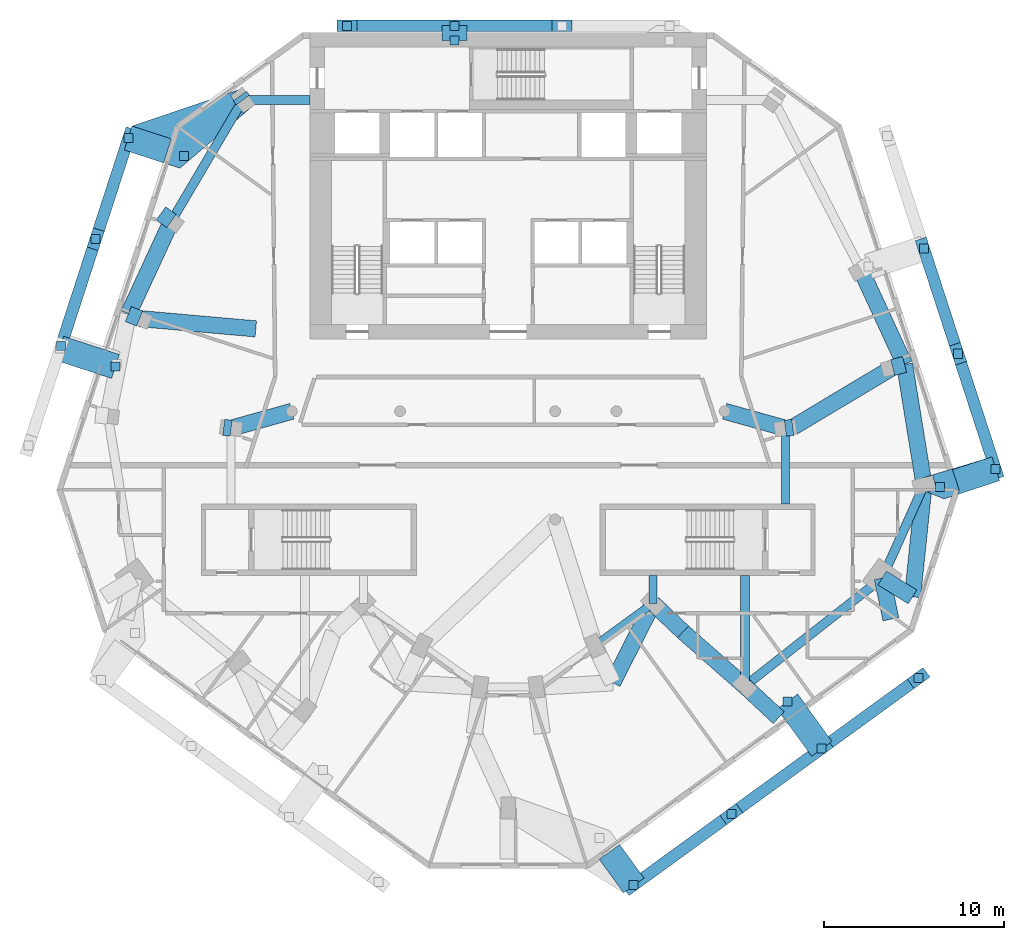
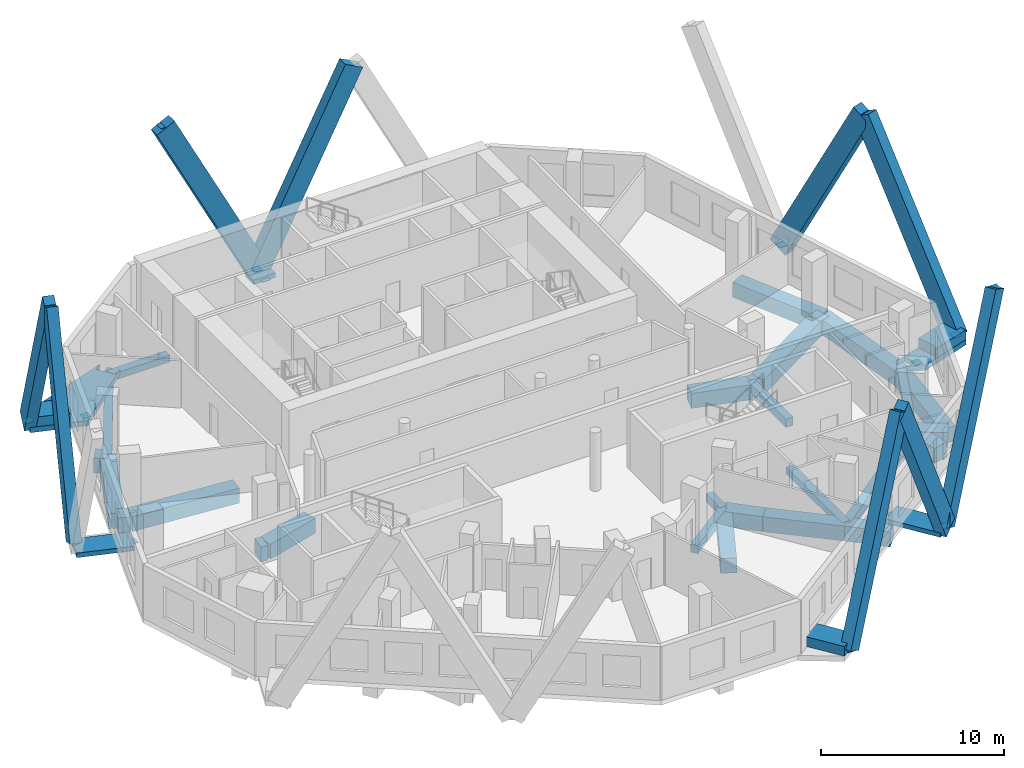
# One storey, part 2 of 10: 28 beams, 17 discrete accessories, 17 members.
"""IFC4 building model written with IfcOpenShell, lengths in metres."""

from ifc_helpers import new_model, si_unit, direction, frame, origin, origin_2d, place, context, subcontext, project, spatial, polyline, rectangle, outline, extrude, material, layer, layer_set, material_profile, profile_set, type_object, element, aggregate, save


model = new_model("IFC4")

# Units and contexts
model_context = context("Model", 3, precision=1e-05, world=origin(), true_north=direction((0.0, 1.0)))
body_context = subcontext(model_context, "Body", "Model", "MODEL_VIEW")
ifc_project = project(units=[si_unit("LENGTHUNIT", "METRE"), si_unit("AREAUNIT", "SQUARE_METRE"), si_unit("VOLUMEUNIT", "CUBIC_METRE"), si_unit("PLANEANGLEUNIT", "RADIAN"), si_unit("MASSUNIT", "GRAM", prefix="KILO")], contexts=[model_context])

# Site, building, storey
site_placement = place(None, origin())
site = spatial("IfcSite", under=ifc_project, at=site_placement, CompositionType="ELEMENT")
building_placement = place(site_placement, origin())
building = spatial("IfcBuilding", under=site, at=building_placement, Name="White Candle Pilgrim Tower", CompositionType="ELEMENT")
storey_placement = place(building_placement, frame((0.0, 0.0, 196.5)))
storey = spatial("IfcBuildingStorey", under=building, at=storey_placement, Name="L45", CompositionType="ELEMENT", Elevation=196.5)

# Member
ifc_material_1 = material(Name="Concrete C70/85, white", Category="concrete")
ifc_material_profile_1 = material_profile(ifc_material_1, rectangle(XDim=0.64990234375, YDim=1.25, at=origin_2d()), Name="RC-DG 650x1250")
ifc_profile_set_1 = profile_set([ifc_material_profile_1], Name="Concrete C70/85, white")
member_type_1 = type_object("IfcMemberType", Name="Exoskeleton diagonal RC-DG 650x1250 C70/85", PredefinedType="BRACE", material=ifc_profile_set_1)
member_1_placement = place(storey_placement, frame((67.02099609375, 88.375, 0.0), z_axis=(0.453783992732, 0.0, 0.891111714624), x_axis=(0.0, 1.0, 0.0)))
member_1 = element("IfcMember", 1, at=member_1_placement, inside=storey, type_object=member_type_1, Name="Exoskeleton diagonal EX182", PredefinedType="BRACE", context=body_context, shape_type="SweptSolid", body=[
    extrude(rectangle(XDim=0.64990234375, YDim=1.25, at=origin_2d()), origin(), (0.0, 0.0, 1.0), 13.129638671875),
])

member_2_placement = place(storey_placement, frame((67.02099609375, 88.375, 0.0), z_axis=(-0.453783992732, 0.0, 0.891111714624), x_axis=(0.0, -1.0, 0.0)))
member_2 = element("IfcMember", 2, at=member_2_placement, inside=storey, type_object=member_type_1, Name="Exoskeleton diagonal EX183", PredefinedType="BRACE", context=body_context, shape_type="SweptSolid", body=[
    extrude(rectangle(XDim=0.64990234375, YDim=1.25, at=origin_2d()), origin(), (0.0, 0.0, 1.0), 13.129638671875),
])

member_3_placement = place(storey_placement, frame((97.01708984375, 63.8046875, 0.0), z_axis=(-0.153816135728, 0.47339318299, 0.867317410576), x_axis=(-0.951055709454, -0.309019477564, 0.0)))
member_3 = element("IfcMember", 3, at=member_3_placement, inside=storey, type_object=member_type_1, Name="Exoskeleton diagonal EX193", PredefinedType="BRACE", context=body_context, shape_type="SweptSolid", body=[
    extrude(rectangle(XDim=0.64990234375, YDim=1.25, at=origin_2d()), origin(), (0.0, 0.0, 1.0), 13.48974609375),
])

member_4_placement = place(storey_placement, frame((93.044189453125, 76.03173828125, 0.0), z_axis=(0.143631980266, -0.442036934379, 0.885422612592), x_axis=(0.951053055044, 0.309027646809, 0.0)))
member_4 = element("IfcMember", 4, at=member_4_placement, inside=storey, type_object=member_type_1, Name="Exoskeleton diagonal EX194", PredefinedType="BRACE", context=body_context, shape_type="SweptSolid", body=[
    extrude(rectangle(XDim=0.64990234375, YDim=1.25, at=origin_2d()), origin(), (0.0, 0.0, 1.0), 13.2138671875),
])

member_5_placement = place(storey_placement, frame((76.951171875, 40.72265625, 0.0), z_axis=(0.402209457657, 0.292219700499, 0.867660762517), x_axis=(-0.587781861429, 0.809019457971, 0.0)))
member_5 = element("IfcMember", 5, at=member_5_placement, inside=storey, type_object=member_type_1, Name="Exoskeleton diagonal EX205", PredefinedType="BRACE", context=body_context, shape_type="SweptSolid", body=[
    extrude(rectangle(XDim=0.64990234375, YDim=1.25, at=origin_2d()), origin(), (0.0, 0.0, 1.0), 13.484375),
])

member_6_placement = place(storey_placement, frame((87.3779296875, 48.298095703125, 0.0), z_axis=(-0.378059782733, -0.27467584566, 0.884095006485), x_axis=(0.587784321423, -0.809017670691, 0.0)))
member_6 = element("IfcMember", 6, at=member_6_placement, inside=storey, type_object=member_type_1, Name="Exoskeleton diagonal EX206", PredefinedType="BRACE", context=body_context, shape_type="SweptSolid", body=[
    extrude(rectangle(XDim=0.64990234375, YDim=1.25, at=origin_2d()), origin(), (0.0, 0.0, 1.0), 13.23388671875),
])

member_7_placement = place(storey_placement, frame((87.3779296875, 48.298095703125, 0.0), z_axis=(0.399705473776, 0.290417811556, 0.869421088406), x_axis=(-0.58780483972, 0.809002762913, 0.0)))
member_7 = element("IfcMember", 7, at=member_7_placement, inside=storey, type_object=member_type_1, Name="Exoskeleton diagonal EX207", PredefinedType="BRACE", context=body_context, shape_type="SweptSolid", body=[
    extrude(rectangle(XDim=0.64990234375, YDim=1.25, at=origin_2d()), origin(), (0.0, 0.0, 1.0), 13.457275390625),
])

member_8_placement = place(storey_placement, frame((48.942138671875, 82.145263671875, 0.0), z_axis=(-0.138932999123, -0.427609453432, 0.893223251539), x_axis=(0.951060264677, -0.309005457803, 0.0)))
member_8 = element("IfcMember", 8, at=member_8_placement, inside=storey, type_object=member_type_1, Name="Exoskeleton diagonal EX229", PredefinedType="BRACE", context=body_context, shape_type="SweptSolid", body=[
    extrude(rectangle(XDim=0.64990234375, YDim=1.25, at=origin_2d()), origin(), (0.0, 0.0, 1.0), 13.0986328125),
])

member_9_placement = place(storey_placement, frame((45.2001953125, 70.629150390625, 0.14990234375), z_axis=(0.146523645024, 0.450904975439, 0.880463244306), x_axis=(-0.951046760585, 0.309047017752, 0.0)))
member_9 = element("IfcMember", 9, at=member_9_placement, inside=storey, type_object=member_type_1, Name="Exoskeleton diagonal EX230", PredefinedType="BRACE", context=body_context, shape_type="SweptSolid", body=[
    extrude(rectangle(XDim=0.64990234375, YDim=1.25, at=origin_2d()), origin(), (0.0, 0.0, 1.0), 13.1181640625),
])

ifc_layer_1 = layer(ifc_material_1, 0.300048828125)
ifc_layer_set_1 = layer_set([ifc_layer_1], Name="Node tie strut 3250x1400x300 C70/85")
member_type_2 = type_object("IfcMemberType", Name="Node tie strut 3250x1400x300 C70/85", PredefinedType="STRUT", material=ifc_layer_set_1)
member_10_placement = place(storey_placement, frame((0.0, 0.0, -0.35009765625)))
member_10 = element("IfcMember", 10, at=member_10_placement, inside=storey, type_object=member_type_2, Name="Node tie strut NC151", PredefinedType="STRUT", context=body_context, shape_type="SweptSolid", body=[
    extrude(outline(polyline([(94.166015625, 62.142333984375), (97.257080078125, 63.146728515625), (96.824462890625, 64.478271484375), (92.9619140625, 63.2978515625), (93.542724609375, 63.44580078125), (93.740234375, 62.67041015625), (93.2060546875, 62.534423828125), (94.166015625, 62.142333984375)])), origin(), (0.0, 0.0, 1.0), 0.35009765625),
])

# Members
member_11_placement = place(storey_placement, origin())
element("IfcMember", 11, at=member_11_placement, inside=storey, type_object=member_type_2, Name="Node tie strut NC151", PredefinedType="STRUT", context=body_context, shape_type="SweptSolid", body=[
    extrude(outline(polyline([(94.92041015625, 62.387451171875), (97.257080078125, 63.146728515625), (96.824462890625, 64.478271484375), (94.63720703125, 63.767578125), (95.0029296875, 62.6416015625), (94.92041015625, 62.387451171875)])), origin(), (0.0, 0.0, 1.0), 0.64990234375),
])
member_12_placement = place(storey_placement, origin())
element("IfcMember", 12, at=member_12_placement, inside=storey, type_object=member_type_2, Name="Node tie strut NC155", PredefinedType="STRUT", context=body_context, shape_type="SweptSolid", body=[
    extrude(outline(polyline([(76.3994140625, 40.291015625), (77.5322265625, 41.114013671875), (76.18017578125, 42.974609375), (75.047607421875, 42.15185546875), (76.3994140625, 40.291015625)])), origin(), (0.0, 0.0, 1.0), 0.64990234375),
])

# Member
member_13_placement = place(storey_placement, frame((86.4375, 49.5927734375, -0.2998046875), z_axis=(0.0, 0.0, 1.0), x_axis=(0.809016994375, 0.587785252292, 0.0)))
member_13 = element("IfcMember", 13, at=member_13_placement, inside=storey, type_object=member_type_2, Name="Node tie strut NC156", PredefinedType="STRUT", context=body_context, shape_type="SweptSolid", body=[
    extrude(rectangle(XDim=1.39990234375, YDim=3.25, at=origin_2d()), origin(), (0.0, 0.0, 1.0), 0.300048828125),
])

member_14_placement = place(storey_placement, frame((0.0, 0.0, -0.35009765625)))
member_14 = element("IfcMember", 14, at=member_14_placement, inside=storey, type_object=member_type_2, Name="Node tie strut NC159", PredefinedType="STRUT", context=body_context, shape_type="SweptSolid", body=[
    extrude(outline(polyline([(51.793212890625, 80.48291015625), (55.7734375, 83.876708984375), (55.30908203125, 83.53955078125), (54.603759765625, 84.51025390625), (55.024169921875, 84.815673828125), (49.134765625, 82.818603515625), (48.7021484375, 81.4873046875), (51.793212890625, 80.48291015625)])), origin(), (0.0, 0.0, 1.0), 0.35009765625),
])

member_15_placement = place(storey_placement, origin())
element("IfcMember", 15, at=member_15_placement, inside=storey, type_object=member_type_2, Name="Node tie strut NC159", PredefinedType="STRUT", context=body_context, shape_type="SweptSolid", body=[
    extrude(outline(polyline([(50.889404296875, 80.776611328125), (51.322021484375, 82.10791015625), (49.134765625, 82.818603515625), (48.7021484375, 81.4873046875), (50.889404296875, 80.776611328125)])), origin(), (0.0, 0.0, 1.0), 0.64990234375),
])

member_16_placement = place(storey_placement, frame((46.67431640625, 69.988037109375, -0.2998046875), z_axis=(0.0, 0.0, 1.0), x_axis=(-0.309016994375, -0.951056516295, 0.0)))
member_16 = element("IfcMember", 16, at=member_16_placement, inside=storey, type_object=member_type_2, Name="Node tie strut NC161", PredefinedType="STRUT", context=body_context, shape_type="SweptSolid", body=[
    extrude(rectangle(XDim=1.39990234375, YDim=3.25, at=origin_2d()), origin(), (0.0, 0.0, 1.0), 0.300048828125),
])

ifc_layer_2 = layer(ifc_material_1, 0.300048828125)
ifc_layer_set_2 = layer_set([ifc_layer_2], Name="Node tie strut 850x1400x300 C70/85")
member_type_3 = type_object("IfcMemberType", Name="Node tie strut 850x1400x300 C70/85", PredefinedType="STRUT", material=ifc_layer_set_2)
member_17_placement = place(storey_placement, frame((67.02099609375, 87.97509765625, -0.2998046875), z_axis=(0.0, 0.0, 1.0), x_axis=(-1.0, 0.0, 0.0)))
member_17 = element("IfcMember", 17, at=member_17_placement, inside=storey, type_object=member_type_3, Name="Node tie strut NC154", PredefinedType="STRUT", context=body_context, shape_type="SweptSolid", body=[
    extrude(rectangle(XDim=1.39990234375, YDim=0.85009765625, at=origin_2d()), origin(), (0.0, 0.0, 1.0), 0.300048828125),
])

# Beams
ifc_material_2 = material(Name="Concrete C50/60", Category="concrete")
ifc_material_profile_2 = material_profile(ifc_material_2, rectangle(XDim=0.449951171875, YDim=0.550048828125, at=origin_2d()), Name="RC-BM 450x550")
ifc_profile_set_2 = profile_set([ifc_material_profile_2], Name="Concrete C50/60")
beam_type_1 = type_object("IfcBeamType", Name="Ring beam RC-BM 450x550 C50/60", PredefinedType="BEAM", material=ifc_profile_set_2)
beam_1_placement = place(storey_placement, frame((74.800048828125, 54.0, -0.574951171875), z_axis=(0.80861448825, 0.588338855926, 0.0), x_axis=(-0.588338855926, 0.80861448825, 0.0)))
element("IfcBeam", 18, at=beam_1_placement, inside=storey, type_object=beam_type_1, Name="L45 ring beam R05", PredefinedType="BEAM", context=body_context, shape_type="SweptSolid", body=[
    extrude(rectangle(XDim=0.449951171875, YDim=0.550048828125, at=origin_2d()), origin(), (0.0, 0.0, 1.0), 3.994384765625),
])
beam_2_placement = place(storey_placement, frame((78.030029296875, 56.35009765625, -0.574951171875), z_axis=(0.0, 1.0, 0.0), x_axis=(-1.0, 0.0, 0.0)))
element("IfcBeam", 19, at=beam_2_placement, inside=storey, type_object=beam_type_1, Name="L45 ring beam R06", PredefinedType="BEAM", context=body_context, shape_type="SweptSolid", body=[
    extrude(rectangle(XDim=0.449951171875, YDim=0.550048828125, at=origin_2d()), origin(), (0.0, 0.0, 1.0), 1.5498046875),
])
beam_3_placement = place(storey_placement, frame((85.3701171875, 66.06005859375, -0.574951171875), z_axis=(0.0, -1.0, 0.0), x_axis=(1.0, 0.0, 0.0)))
element("IfcBeam", 20, at=beam_3_placement, inside=storey, type_object=beam_type_1, Name="L45 ring beam R07", PredefinedType="BEAM", context=body_context, shape_type="SweptSolid", body=[
    extrude(rectangle(XDim=0.449951171875, YDim=0.550048828125, at=origin_2d()), origin(), (0.0, 0.0, 1.0), 4.2099609375),
])
ifc_material_profile_3 = material_profile(ifc_material_2, rectangle(XDim=0.5, YDim=0.449951171875, at=origin_2d()), Name="RC-BM 500x450")
ifc_profile_set_3 = profile_set([ifc_material_profile_3], Name="Concrete C50/60")
beam_type_2 = type_object("IfcBeamType", Name="Spandrel beam RC-BM 500x450 C50/60", PredefinedType="BEAM", material=ifc_profile_set_3)
beam_4_placement = place(storey_placement, frame((83.1201171875, 51.760009765625, -0.52490234375), z_axis=(0.0, 1.0, 0.0), x_axis=(-1.0, 0.0, 0.0)))
element("IfcBeam", 21, at=beam_4_placement, inside=storey, type_object=beam_type_2, Name="L45 spandrel beam T04", PredefinedType="BEAM", context=body_context, shape_type="SweptSolid", body=[
    extrude(rectangle(XDim=0.5, YDim=0.449951171875, at=origin_2d()), origin(), (0.0, 0.0, 1.0), 6.139892578125),
])
beam_5_placement = place(storey_placement, frame((90.739990234375, 57.75, -0.52490234375), z_axis=(0.410086538768, 0.912046616528, 0.0), x_axis=(-0.912046616528, 0.410086538768, 0.0)))
element("IfcBeam", 22, at=beam_5_placement, inside=storey, type_object=beam_type_2, Name="L45 spandrel beam T06", PredefinedType="BEAM", context=body_context, shape_type="SweptSolid", body=[
    extrude(rectangle(XDim=0.5, YDim=0.449951171875, at=origin_2d()), origin(), (0.0, 0.0, 1.0), 5.657470703125),
])
beam_6_placement = place(storey_placement, frame((55.280029296875, 84.260009765625, -0.52490234375), z_axis=(1.0, 0.0, 0.0), x_axis=(0.0, 1.0, 0.0)))
element("IfcBeam", 23, at=beam_6_placement, inside=storey, type_object=beam_type_2, Name="L45 spandrel beam T11", PredefinedType="BEAM", context=body_context, shape_type="SweptSolid", body=[
    extrude(rectangle(XDim=0.5, YDim=0.449951171875, at=origin_2d()), origin(), (0.0, 0.0, 1.0), 3.719970703125),
])
beam_7_placement = place(storey_placement, frame((55.280029296875, 84.260009765625, -0.52490234375), z_axis=(-0.508252060579, -0.861208362081, 0.0), x_axis=(0.861208362081, -0.508252060579, 0.0)))
element("IfcBeam", 24, at=beam_7_placement, inside=storey, type_object=beam_type_2, Name="L45 spandrel beam T12", PredefinedType="BEAM", context=body_context, shape_type="SweptSolid", body=[
    extrude(rectangle(XDim=0.5, YDim=0.449951171875, at=origin_2d()), origin(), (0.0, 0.0, 1.0), 7.791259765625),
])
ifc_material_profile_4 = material_profile(ifc_material_2, rectangle(XDim=0.5, YDim=0.699951171875, at=origin_2d()), Name="RC-BM 500x700")
ifc_profile_set_4 = profile_set([ifc_material_profile_4], Name="Concrete C50/60")
beam_type_3 = type_object("IfcBeamType", Name="Spandrel beam RC-BM 500x700 C50/60", PredefinedType="BEAM", material=ifc_profile_set_4)
beam_8_placement = place(storey_placement, frame((83.1201171875, 51.760009765625, -0.64990234375), z_axis=(0.786170599768, 0.618009537192, 0.0), x_axis=(-0.618009537192, 0.786170599768, 0.0)))
element("IfcBeam", 25, at=beam_8_placement, inside=storey, type_object=beam_type_3, Name="L45 spandrel beam T05", PredefinedType="BEAM", context=body_context, shape_type="SweptSolid", body=[
    extrude(rectangle(XDim=0.5, YDim=0.699951171875, at=origin_2d()), origin(), (0.0, 0.0, 1.0), 9.6923828125),
])
ifc_material_profile_5 = material_profile(ifc_material_2, rectangle(XDim=0.89990234375, YDim=1.0, at=origin_2d()), Name="RC-BM 900x1000")
ifc_profile_set_5 = profile_set([ifc_material_profile_5], Name="Concrete C50/60")
beam_type_4 = type_object("IfcBeamType", Name="Transfer girder RC-BM 900x1000 C50/60", PredefinedType="BEAM", material=ifc_profile_set_5)
beam_9_placement = place(storey_placement, frame((92.419921875, 56.7099609375, -0.800048828125), z_axis=(0.102702701994, 0.99471209654, 0.0), x_axis=(-0.99471209654, 0.102702701994, 0.0)))
element("IfcBeam", 26, at=beam_9_placement, inside=storey, type_object=beam_type_4, Name="L45 transfer girder X01", PredefinedType="BEAM", context=body_context, shape_type="SweptSolid", body=[
    extrude(rectangle(XDim=0.89990234375, YDim=1.0, at=origin_2d()), origin(), (0.0, 0.0, 1.0), 6.23291015625),
])
beam_10_placement = place(storey_placement, frame((93.06005859375, 62.909912109375, -0.800048828125), z_axis=(-0.15937855021, 0.987217543266, 0.0), x_axis=(-0.987217543266, -0.15937855021, 0.0)))
element("IfcBeam", 27, at=beam_10_placement, inside=storey, type_object=beam_type_4, Name="L45 transfer girder X02", PredefinedType="BEAM", context=body_context, shape_type="SweptSolid", body=[
    extrude(rectangle(XDim=0.89990234375, YDim=1.0, at=origin_2d()), origin(), (0.0, 0.0, 1.0), 6.77685546875),
])
beam_11_placement = place(storey_placement, frame((85.0, 50.010009765625, -0.800048828125), z_axis=(-0.731939745503, 0.681369363086, 0.0), x_axis=(-0.681369363086, -0.731939745503, 0.0)))
element("IfcBeam", 28, at=beam_11_placement, inside=storey, type_object=beam_type_4, Name="L45 transfer girder X11", PredefinedType="BEAM", context=body_context, shape_type="SweptSolid", body=[
    extrude(rectangle(XDim=0.89990234375, YDim=1.0, at=origin_2d()), origin(), (0.0, 0.0, 1.0), 2.568359375),
])
beam_12_placement = place(storey_placement, frame((83.1201171875, 51.760009765625, -0.800048828125), z_axis=(-0.751641385685, 0.65957200314, 0.0), x_axis=(-0.65957200314, -0.751641385685, 0.0)))
element("IfcBeam", 29, at=beam_12_placement, inside=storey, type_object=beam_type_4, Name="L45 transfer girder X12", PredefinedType="BEAM", context=body_context, shape_type="SweptSolid", body=[
    extrude(rectangle(XDim=0.89990234375, YDim=1.0, at=origin_2d()), origin(), (0.0, 0.0, 1.0), 4.5634765625),
])
beam_13_placement = place(storey_placement, frame((91.219970703125, 55.469970703125, -0.800048828125), z_axis=(-0.205999919533, 0.978552008404, 0.0), x_axis=(-0.978552008404, -0.205999919533, 0.0)))
element("IfcBeam", 30, at=beam_13_placement, inside=storey, type_object=beam_type_4, Name="L45 transfer girder X17", PredefinedType="BEAM", context=body_context, shape_type="SweptSolid", body=[
    extrude(rectangle(XDim=0.89990234375, YDim=1.0, at=origin_2d()), origin(), (0.0, 0.0, 1.0), 2.330078125),
])
beam_14_placement = place(storey_placement, frame((90.739990234375, 57.75, -0.800048828125), z_axis=(0.850246712787, -0.526384391291, 0.0), x_axis=(0.526384391291, 0.850246712787, 0.0)))
element("IfcBeam", 31, at=beam_14_placement, inside=storey, type_object=beam_type_4, Name="L45 transfer girder X18", PredefinedType="BEAM", context=body_context, shape_type="SweptSolid", body=[
    extrude(rectangle(XDim=0.89990234375, YDim=1.0, at=origin_2d()), origin(), (0.0, 0.0, 1.0), 1.975830078125),
])
beam_15_placement = place(storey_placement, frame((79.68994140625, 54.77001953125, -0.800048828125), z_axis=(-0.724310183523, 0.689474262062, 0.0), x_axis=(-0.689474262062, -0.724310183523, 0.0)))
element("IfcBeam", 32, at=beam_15_placement, inside=storey, type_object=beam_type_4, Name="L45 transfer girder X21", PredefinedType="BEAM", context=body_context, shape_type="SweptSolid", body=[
    extrude(rectangle(XDim=0.89990234375, YDim=1.0, at=origin_2d()), origin(), (0.0, 0.0, 1.0), 2.291748046875),
])
beam_16_placement = place(storey_placement, frame((78.030029296875, 56.35009765625, -0.800048828125), z_axis=(-0.452851133018, -0.891586143524, 0.0), x_axis=(0.891586143524, -0.452851133018, 0.0)))
element("IfcBeam", 33, at=beam_16_placement, inside=storey, type_object=beam_type_4, Name="L45 transfer girder X22", PredefinedType="BEAM", context=body_context, shape_type="SweptSolid", body=[
    extrude(rectangle(XDim=0.89990234375, YDim=1.0, at=origin_2d()), origin(), (0.0, 0.0, 1.0), 4.946533203125),
])
beam_17_placement = place(storey_placement, frame((50.739990234375, 77.969970703125, -0.800048828125), z_axis=(0.810031464643, -0.586386413799, 0.0), x_axis=(0.586386413799, 0.810031464643, 0.0)))
element("IfcBeam", 34, at=beam_17_placement, inside=storey, type_object=beam_type_4, Name="L45 transfer girder X27", PredefinedType="BEAM", context=body_context, shape_type="SweptSolid", body=[
    extrude(rectangle(XDim=0.89990234375, YDim=1.0, at=origin_2d()), origin(), (0.0, 0.0, 1.0), 0.716064453125),
])
beam_18_placement = place(storey_placement, frame((51.320068359375, 77.550048828125, -0.800048828125), z_axis=(-0.42029378106, -0.907388085442, 0.0), x_axis=(0.907388085442, -0.42029378106, 0.0)))
element("IfcBeam", 35, at=beam_18_placement, inside=storey, type_object=beam_type_4, Name="L45 transfer girder X28", PredefinedType="BEAM", context=body_context, shape_type="SweptSolid", body=[
    extrude(rectangle(XDim=0.89990234375, YDim=1.0, at=origin_2d()), origin(), (0.0, 0.0, 1.0), 5.686767578125),
])
beam_19_placement = place(storey_placement, frame((89.56005859375, 74.840087890625, -0.800048828125), z_axis=(0.419267391485, -0.90786279494, 0.0), x_axis=(0.90786279494, 0.419267391485, 0.0)))
element("IfcBeam", 36, at=beam_19_placement, inside=storey, type_object=beam_type_4, Name="L45 transfer girder X30", PredefinedType="BEAM", context=body_context, shape_type="SweptSolid", body=[
    extrude(rectangle(XDim=0.89990234375, YDim=1.0, at=origin_2d()), origin(), (0.0, 0.0, 1.0), 5.771728515625),
])
beam_20_placement = place(storey_placement, frame((91.97998046875, 69.60009765625, -0.800048828125), z_axis=(-0.968324838627, -0.249693826313, 0.0), x_axis=(0.249693826313, -0.968324838627, 0.0)))
element("IfcBeam", 37, at=beam_20_placement, inside=storey, type_object=beam_type_4, Name="L45 transfer girder X33", PredefinedType="BEAM", context=body_context, shape_type="SweptSolid", body=[
    extrude(rectangle(XDim=0.89990234375, YDim=1.0, at=origin_2d()), origin(), (0.0, 0.0, 1.0), 0.681396484375),
])
beam_21_placement = place(storey_placement, frame((91.320068359375, 69.429931640625, -0.800048828125), z_axis=(-0.857779635108, -0.514017604363, 0.0), x_axis=(0.514017604363, -0.857779635108, 0.0)))
element("IfcBeam", 38, at=beam_21_placement, inside=storey, type_object=beam_type_4, Name="L45 transfer girder X34", PredefinedType="BEAM", context=body_context, shape_type="SweptSolid", body=[
    extrude(rectangle(XDim=0.89990234375, YDim=1.0, at=origin_2d()), origin(), (0.0, 0.0, 1.0), 6.45849609375),
])
beam_22_placement = place(storey_placement, frame((48.929931640625, 72.389892578125, -0.800048828125), z_axis=(0.929516186717, -0.368781315458, 0.0), x_axis=(0.368781315458, 0.929516186717, 0.0)))
element("IfcBeam", 39, at=beam_22_placement, inside=storey, type_object=beam_type_4, Name="L45 transfer girder X35", PredefinedType="BEAM", context=body_context, shape_type="SweptSolid", body=[
    extrude(rectangle(XDim=0.89990234375, YDim=1.0, at=origin_2d()), origin(), (0.0, 0.0, 1.0), 0.677978515625),
])
beam_23_placement = place(storey_placement, frame((49.56005859375, 72.139892578125, -0.800048828125), z_axis=(0.996108231951, -0.08813847196, 0.0), x_axis=(0.08813847196, 0.996108231951, 0.0)))
element("IfcBeam", 40, at=beam_23_placement, inside=storey, type_object=beam_type_4, Name="L45 transfer girder X36", PredefinedType="BEAM", context=body_context, shape_type="SweptSolid", body=[
    extrude(rectangle(XDim=0.89990234375, YDim=1.0, at=origin_2d()), origin(), (0.0, 0.0, 1.0), 6.465087890625),
])
beam_24_placement = place(storey_placement, frame((54.219970703125, 66.110107421875, -0.800048828125), z_axis=(0.992628540236, -0.12119645667, 0.0), x_axis=(0.12119645667, 0.992628540236, 0.0)))
element("IfcBeam", 41, at=beam_24_placement, inside=storey, type_object=beam_type_4, Name="L45 transfer girder X37", PredefinedType="BEAM", context=body_context, shape_type="SweptSolid", body=[
    extrude(rectangle(XDim=0.89990234375, YDim=1.0, at=origin_2d()), origin(), (0.0, 0.0, 1.0), 0.412841796875),
])
beam_25_placement = place(storey_placement, frame((54.6298828125, 66.06005859375, -0.800048828125), z_axis=(0.963237464543, 0.268651422667, 0.0), x_axis=(-0.268651422667, 0.963237464543, 0.0)))
element("IfcBeam", 42, at=beam_25_placement, inside=storey, type_object=beam_type_4, Name="L45 transfer girder X38", PredefinedType="BEAM", context=body_context, shape_type="SweptSolid", body=[
    extrude(rectangle(XDim=0.89990234375, YDim=1.0, at=origin_2d()), origin(), (0.0, 0.0, 1.0), 3.498779296875),
])
beam_26_placement = place(storey_placement, frame((85.780029296875, 66.110107421875, -0.800048828125), z_axis=(-0.992628540236, -0.12119645667, 0.0), x_axis=(0.12119645667, -0.992628540236, 0.0)))
element("IfcBeam", 43, at=beam_26_placement, inside=storey, type_object=beam_type_4, Name="L45 transfer girder X39", PredefinedType="BEAM", context=body_context, shape_type="SweptSolid", body=[
    extrude(rectangle(XDim=0.89990234375, YDim=1.0, at=origin_2d()), origin(), (0.0, 0.0, 1.0), 0.412841796875),
])
beam_27_placement = place(storey_placement, frame((85.3701171875, 66.06005859375, -0.800048828125), z_axis=(-0.963237464543, 0.268651422667, 0.0), x_axis=(-0.268651422667, -0.963237464543, 0.0)))
element("IfcBeam", 44, at=beam_27_placement, inside=storey, type_object=beam_type_4, Name="L45 transfer girder X40", PredefinedType="BEAM", context=body_context, shape_type="SweptSolid", body=[
    extrude(rectangle(XDim=0.89990234375, YDim=1.0, at=origin_2d()), origin(), (0.0, 0.0, 1.0), 3.498779296875),
])
beam_28_placement = place(storey_placement, frame((55.1201171875, 84.47998046875, -0.800048828125), z_axis=(0.588011550959, -0.808852530403, 0.0), x_axis=(0.808852530403, 0.588011550959, 0.0)))
element("IfcBeam", 45, at=beam_28_placement, inside=storey, type_object=beam_type_4, Name="L45 transfer girder X41", PredefinedType="BEAM", context=body_context, shape_type="SweptSolid", body=[
    extrude(rectangle(XDim=0.89990234375, YDim=1.0, at=origin_2d()), origin(), (0.0, 0.0, 1.0), 0.27197265625),
])

# Discrete accessory
ifc_material_3 = material(Name="Steel S355", Category="steel")
ifc_layer_3 = layer(ifc_material_3, 0.02490234375)
ifc_layer_set_3 = layer_set([ifc_layer_3], Name="Gusset plate 500x500x25 S355")
discrete_accessory_type = type_object("IfcDiscreteAccessoryType", Name="Gusset plate 500x500x25 S355", PredefinedType="BRACKET", material=ifc_layer_set_3)
discrete_accessory_1_placement = place(storey_placement, frame((67.02099609375, 88.375, -0.012451171875), z_axis=(0.0, 0.0, 1.0), x_axis=(1.0, 0.0, 0.0)))
discrete_accessory_1 = element("IfcDiscreteAccessory", 46, at=discrete_accessory_1_placement, type_object=discrete_accessory_type, Name="Gusset plate 0209", PredefinedType="BRACKET", context=body_context, shape_type="SweptSolid", body=[
    extrude(rectangle(XDim=0.5, YDim=0.5, at=origin_2d()), origin(), (0.0, 0.0, 1.0), 0.02490234375),
])

aggregate(member_1, [discrete_accessory_1])

placement = place(building_placement, frame((0.0, 0.0, 208.199951171875)))
discrete_accessory_2_placement = place(placement, frame((61.06298828125, 88.375, -0.012451171875), z_axis=(0.0, 0.0, 1.0), x_axis=(1.0, 0.0, 0.0)))
discrete_accessory_2 = element("IfcDiscreteAccessory", 47, at=discrete_accessory_2_placement, type_object=discrete_accessory_type, Name="Gusset plate 0210", PredefinedType="BRACKET", context=body_context, shape_type="SweptSolid", body=[
    extrude(rectangle(XDim=0.5, YDim=0.5, at=origin_2d()), origin(), (0.0, 0.0, 1.0), 0.02490234375),
])

aggregate(member_2, [discrete_accessory_2])

discrete_accessory_3_placement = place(storey_placement, frame((97.01708984375, 63.8046875, -0.012451171875), z_axis=(0.0, 0.0, 1.0), x_axis=(1.0, 0.0, 0.0)))
discrete_accessory_3 = element("IfcDiscreteAccessory", 48, at=discrete_accessory_3_placement, type_object=discrete_accessory_type, Name="Gusset plate 0217", PredefinedType="BRACKET", context=body_context, shape_type="SweptSolid", body=[
    extrude(rectangle(XDim=0.5, YDim=0.5, at=origin_2d()), origin(), (0.0, 0.0, 1.0), 0.02490234375),
])

discrete_accessory_4_placement = place(placement, frame((94.942138671875, 70.190673828125, -0.012451171875), z_axis=(0.0, 0.0, 1.0), x_axis=(1.0, 0.0, 0.0)))
discrete_accessory_4 = element("IfcDiscreteAccessory", 49, at=discrete_accessory_4_placement, type_object=discrete_accessory_type, Name="Gusset plate 0218", PredefinedType="BRACKET", context=body_context, shape_type="SweptSolid", body=[
    extrude(rectangle(XDim=0.5, YDim=0.5, at=origin_2d()), origin(), (0.0, 0.0, 1.0), 0.02490234375),
])

aggregate(member_3, [discrete_accessory_3, discrete_accessory_4])

discrete_accessory_5_placement = place(storey_placement, frame((93.044189453125, 76.03173828125, -0.012451171875), z_axis=(0.0, 0.0, 1.0), x_axis=(1.0, 0.0, 0.0)))
discrete_accessory_5 = element("IfcDiscreteAccessory", 50, at=discrete_accessory_5_placement, type_object=discrete_accessory_type, Name="Gusset plate 0219", PredefinedType="BRACKET", context=body_context, shape_type="SweptSolid", body=[
    extrude(rectangle(XDim=0.5, YDim=0.5, at=origin_2d()), origin(), (0.0, 0.0, 1.0), 0.02490234375),
])

aggregate(member_4, [discrete_accessory_5])

discrete_accessory_6_placement = place(storey_placement, frame((76.951171875, 40.72265625, -0.012451171875), z_axis=(0.0, 0.0, 1.0), x_axis=(1.0, 0.0, 0.0)))
discrete_accessory_6 = element("IfcDiscreteAccessory", 51, at=discrete_accessory_6_placement, type_object=discrete_accessory_type, Name="Gusset plate 0232", PredefinedType="BRACKET", context=body_context, shape_type="SweptSolid", body=[
    extrude(rectangle(XDim=0.5, YDim=0.5, at=origin_2d()), origin(), (0.0, 0.0, 1.0), 0.02490234375),
])

discrete_accessory_7_placement = place(placement, frame((82.374755859375, 44.6630859375, -0.012451171875), z_axis=(0.0, 0.0, 1.0), x_axis=(1.0, 0.0, 0.0)))
discrete_accessory_7 = element("IfcDiscreteAccessory", 52, at=discrete_accessory_7_placement, type_object=discrete_accessory_type, Name="Gusset plate 0233", PredefinedType="BRACKET", context=body_context, shape_type="SweptSolid", body=[
    extrude(rectangle(XDim=0.5, YDim=0.5, at=origin_2d()), origin(), (0.0, 0.0, 1.0), 0.02490234375),
])

aggregate(member_5, [discrete_accessory_6, discrete_accessory_7])

discrete_accessory_8_placement = place(storey_placement, frame((87.3779296875, 48.298095703125, -0.012451171875), z_axis=(0.0, 0.0, 1.0), x_axis=(1.0, 0.0, 0.0)))
discrete_accessory_8 = element("IfcDiscreteAccessory", 53, at=discrete_accessory_8_placement, type_object=discrete_accessory_type, Name="Gusset plate 0234", PredefinedType="BRACKET", context=body_context, shape_type="SweptSolid", body=[
    extrude(rectangle(XDim=0.5, YDim=0.5, at=origin_2d()), origin(), (0.0, 0.0, 1.0), 0.02490234375),
])

aggregate(member_6, [discrete_accessory_8])

discrete_accessory_9_placement = place(placement, frame((92.7568359375, 52.206298828125, -0.012451171875), z_axis=(0.0, 0.0, 1.0), x_axis=(1.0, 0.0, 0.0)))
discrete_accessory_9 = element("IfcDiscreteAccessory", 54, at=discrete_accessory_9_placement, type_object=discrete_accessory_type, Name="Gusset plate 0235", PredefinedType="BRACKET", context=body_context, shape_type="SweptSolid", body=[
    extrude(rectangle(XDim=0.5, YDim=0.5, at=origin_2d()), origin(), (0.0, 0.0, 1.0), 0.02490234375),
])

aggregate(member_7, [discrete_accessory_9])

discrete_accessory_10_placement = place(storey_placement, frame((48.942138671875, 82.145263671875, -0.012451171875), z_axis=(0.0, 0.0, 1.0), x_axis=(1.0, 0.0, 0.0)))
discrete_accessory_10 = element("IfcDiscreteAccessory", 55, at=discrete_accessory_10_placement, type_object=discrete_accessory_type, Name="Gusset plate 0264", PredefinedType="BRACKET", context=body_context, shape_type="SweptSolid", body=[
    extrude(rectangle(XDim=0.5, YDim=0.5, at=origin_2d()), origin(), (0.0, 0.0, 1.0), 0.02490234375),
])

discrete_accessory_11_placement = place(placement, frame((47.122314453125, 76.544189453125, -0.012451171875), z_axis=(0.0, 0.0, 1.0), x_axis=(1.0, 0.0, 0.0)))
discrete_accessory_11 = element("IfcDiscreteAccessory", 56, at=discrete_accessory_11_placement, type_object=discrete_accessory_type, Name="Gusset plate 0265", PredefinedType="BRACKET", context=body_context, shape_type="SweptSolid", body=[
    extrude(rectangle(XDim=0.5, YDim=0.5, at=origin_2d()), origin(), (0.0, 0.0, 1.0), 0.02490234375),
])

aggregate(member_8, [discrete_accessory_10, discrete_accessory_11])

discrete_accessory_12_placement = place(storey_placement, frame((45.2001953125, 70.629150390625, 0.137451171875), z_axis=(0.0, 0.0, 1.0), x_axis=(1.0, 0.0, 0.0)))
discrete_accessory_12 = element("IfcDiscreteAccessory", 57, at=discrete_accessory_12_placement, type_object=discrete_accessory_type, Name="Gusset plate 0266", PredefinedType="BRACKET", context=body_context, shape_type="SweptSolid", body=[
    extrude(rectangle(XDim=0.5, YDim=0.5, at=origin_2d()), origin(), (0.0, 0.0, 1.0), 0.02490234375),
])

aggregate(member_9, [discrete_accessory_12])

discrete_accessory_13_placement = place(storey_placement, frame((93.94970703125, 62.80810546875, -0.162353515625), z_axis=(0.0, 0.0, 1.0), x_axis=(1.0, 0.0, 0.0)))
discrete_accessory_13 = element("IfcDiscreteAccessory", 58, at=discrete_accessory_13_placement, type_object=discrete_accessory_type, Name="Gusset plate 0532", PredefinedType="BRACKET", context=body_context, shape_type="SweptSolid", body=[
    extrude(rectangle(XDim=0.5, YDim=0.5, at=origin_2d()), origin(), (0.0, 0.0, 1.0), 0.02490234375),
])

aggregate(member_10, [discrete_accessory_13])

discrete_accessory_14_placement = place(storey_placement, frame((67.02099609375, 87.550048828125, -0.162353515625), z_axis=(0.0, 0.0, 1.0), x_axis=(1.0, 0.0, 0.0)))
discrete_accessory_14 = element("IfcDiscreteAccessory", 59, at=discrete_accessory_14_placement, type_object=discrete_accessory_type, Name="Gusset plate 0535", PredefinedType="BRACKET", context=body_context, shape_type="SweptSolid", body=[
    extrude(rectangle(XDim=0.5, YDim=0.5, at=origin_2d()), origin(), (0.0, 0.0, 1.0), 0.02490234375),
])

aggregate(member_17, [discrete_accessory_14])

discrete_accessory_15_placement = place(storey_placement, frame((85.482421875, 50.907470703125, -0.162353515625), z_axis=(0.0, 0.0, 1.0), x_axis=(1.0, 0.0, 0.0)))
discrete_accessory_15 = element("IfcDiscreteAccessory", 60, at=discrete_accessory_15_placement, type_object=discrete_accessory_type, Name="Gusset plate 0537", PredefinedType="BRACKET", context=body_context, shape_type="SweptSolid", body=[
    extrude(rectangle(XDim=0.5, YDim=0.5, at=origin_2d()), origin(), (0.0, 0.0, 1.0), 0.02490234375),
])

aggregate(member_13, [discrete_accessory_15])

discrete_accessory_16_placement = place(storey_placement, frame((52.009521484375, 81.148681640625, -0.162353515625), z_axis=(0.0, 0.0, 1.0), x_axis=(1.0, 0.0, 0.0)))
discrete_accessory_16 = element("IfcDiscreteAccessory", 61, at=discrete_accessory_16_placement, type_object=discrete_accessory_type, Name="Gusset plate 0540", PredefinedType="BRACKET", context=body_context, shape_type="SweptSolid", body=[
    extrude(rectangle(XDim=0.5, YDim=0.5, at=origin_2d()), origin(), (0.0, 0.0, 1.0), 0.02490234375),
])

aggregate(member_14, [discrete_accessory_16])

discrete_accessory_17_placement = place(storey_placement, frame((48.219970703125, 69.48583984375, -0.162353515625), z_axis=(0.0, 0.0, 1.0), x_axis=(1.0, 0.0, 0.0)))
discrete_accessory_17 = element("IfcDiscreteAccessory", 62, at=discrete_accessory_17_placement, type_object=discrete_accessory_type, Name="Gusset plate 0542", PredefinedType="BRACKET", context=body_context, shape_type="SweptSolid", body=[
    extrude(rectangle(XDim=0.5, YDim=0.5, at=origin_2d()), origin(), (0.0, 0.0, 1.0), 0.02490234375),
])

aggregate(member_16, [discrete_accessory_17])

save(model, "model.ifc")
